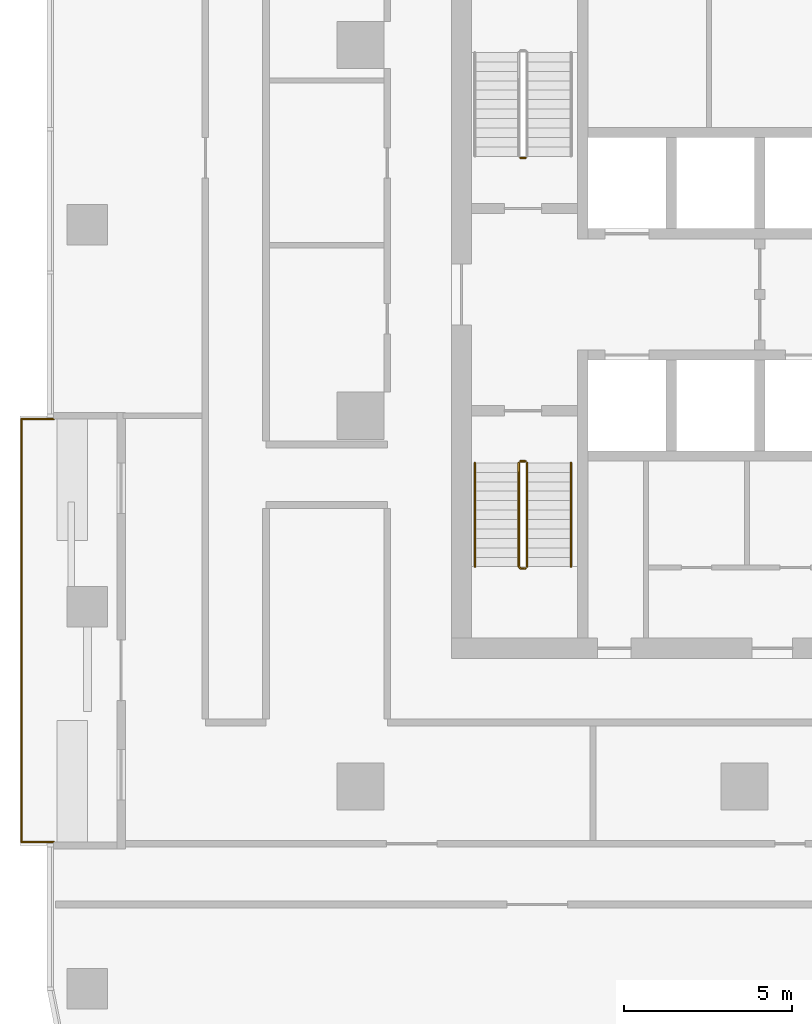
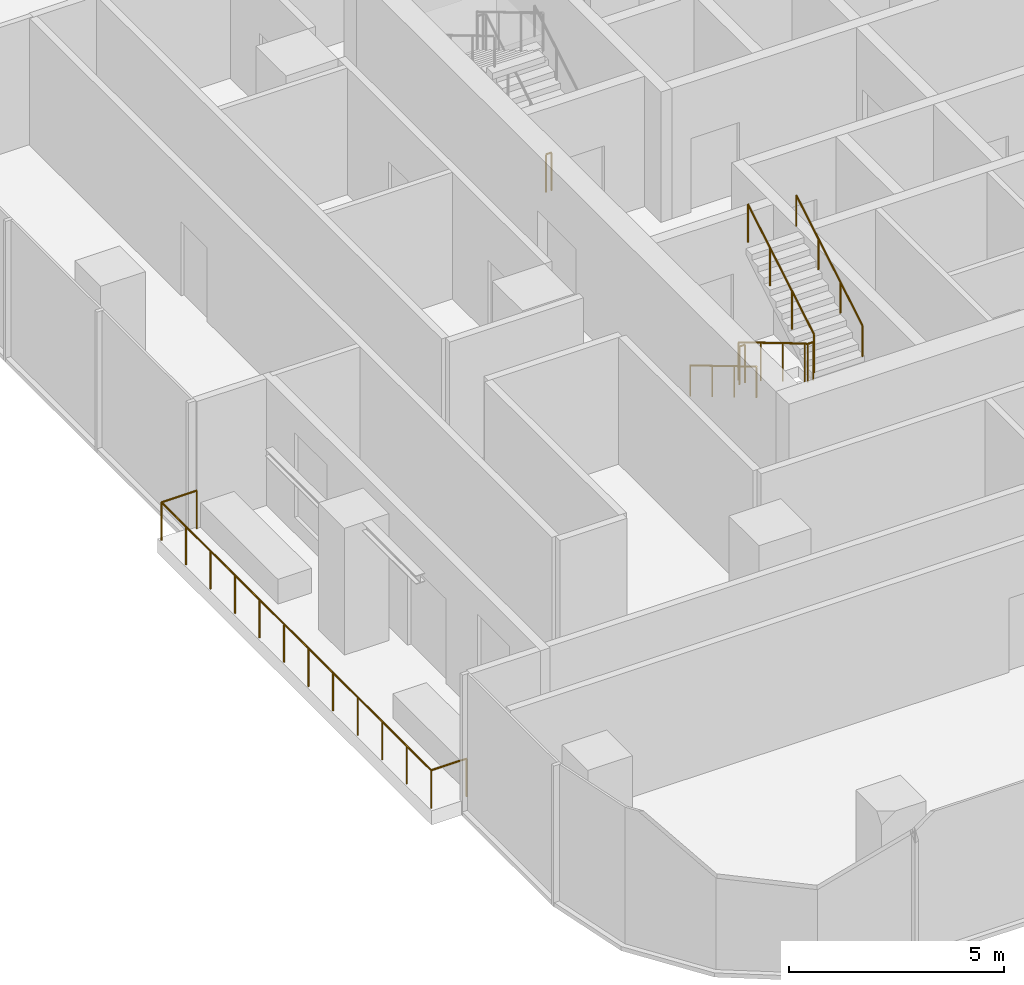
# One storey, part 12 of 14: 7 railings.
"""IFC4 building model written with IfcOpenShell, lengths in metres."""

from ifc_helpers import new_model, si_unit, direction, frame, origin, origin_2d, place, context, subcontext, project, spatial, circle, extrude, material, type_object, element, save


model = new_model("IFC4")

# Units and contexts
model_context = context("Model", 3, precision=1e-05, world=origin(), true_north=direction((0.0, 1.0)))
body_context = subcontext(model_context, "Body", "Model", "MODEL_VIEW")
ifc_project = project(units=[si_unit("LENGTHUNIT", "METRE"), si_unit("AREAUNIT", "SQUARE_METRE"), si_unit("VOLUMEUNIT", "CUBIC_METRE"), si_unit("PLANEANGLEUNIT", "RADIAN"), si_unit("MASSUNIT", "GRAM", prefix="KILO")], contexts=[model_context])

# Site, building, storey
site_placement = place(None, origin())
site = spatial("IfcSite", under=ifc_project, at=site_placement, CompositionType="ELEMENT")
building_placement = place(site_placement, origin())
building = spatial("IfcBuilding", under=site, at=building_placement, Name="Mopane Tessera Tower", CompositionType="ELEMENT")
storey_placement = place(building_placement, frame((0.0, 0.0, 185.0)))
storey = spatial("IfcBuildingStorey", under=building, at=storey_placement, Name="L38", CompositionType="ELEMENT", Elevation=185.0)

# Railings
ifc_material_1 = material(Name="Powder-coated steel balustrade", Category="steel")
railing_type_1 = type_object("IfcRailingType", Name="Escape stair guard 1100 mm", PredefinedType="GUARDRAIL", material=ifc_material_1)
railing_1_placement = place(storey_placement, frame((-12.39990234375, -1.39990234375, 0.166748046875)))
element("IfcRailing", 1, at=railing_1_placement, inside=storey, type_object=railing_type_1, Name="L38 ST1 stair guard 1", PredefinedType="GUARDRAIL", context=body_context, shape_type="SweptSolid", body=[
    extrude(circle(Radius=0.02392578125, at=origin_2d()), frame((0.0, 0.0, 1.076171875), z_axis=(0.0, -0.859308565015, 0.511457515432), x_axis=(1.0, 0.0, 0.0)), (0.0, 0.0, 1.0), 3.58447265625),
    extrude(circle(Radius=0.02392578125, at=origin_2d()), frame((0.0, -3.080078125, 2.9091796875), z_axis=(0.705375805398, -0.708833529934, 0.0), x_axis=(0.708833529934, 0.705375805398, 0.0)), (0.0, 0.0, 1.0), 0.070556640625),
    extrude(circle(Radius=0.02392578125, at=origin_2d()), frame((0.0498046875, -3.130126953125, 2.9091796875), z_axis=(1.0, 0.0, 0.0), x_axis=(0.0, 1.0, 0.0)), (0.0, 0.0, 1.0), 0.150146484375),
    extrude(circle(Radius=0.02099609375, at=origin_2d()), origin(), (0.0, 0.0, 1.0), 1.052001953125),
    extrude(circle(Radius=0.02099609375, at=origin_2d()), frame((0.0, -1.026611328125, 0.611083984375)), (0.0, 0.0, 1.0), 1.052001953125),
    extrude(circle(Radius=0.02099609375, at=origin_2d()), frame((0.0, -2.053466796875, 1.22216796875)), (0.0, 0.0, 1.0), 1.052001953125),
    extrude(circle(Radius=0.02099609375, at=origin_2d()), frame((0.0, -3.080078125, 1.833251953125)), (0.0, 0.0, 1.0), 1.052001953125),
    extrude(circle(Radius=0.02099609375, at=origin_2d()), frame((0.0498046875, -3.130126953125, 1.833251953125)), (0.0, 0.0, 1.0), 1.052001953125),
    extrude(circle(Radius=0.02099609375, at=origin_2d()), frame((0.199951171875, -3.130126953125, 1.833251953125)), (0.0, 0.0, 1.0), 1.052001953125),
])
railing_2_placement = place(storey_placement, frame((-12.14990234375, -4.47998046875, 2.166748046875)))
element("IfcRailing", 2, at=railing_2_placement, inside=storey, type_object=railing_type_1, Name="L38 ST1 stair guard 2", PredefinedType="GUARDRAIL", context=body_context, shape_type="SweptSolid", body=[
    extrude(circle(Radius=0.02392578125, at=origin_2d()), frame((0.0, 0.0, 1.076171875), z_axis=(0.0, 0.859308565015, 0.511457515432), x_axis=(-1.0, 0.0, 0.0)), (0.0, 0.0, 1.0), 3.58447265625),
    extrude(circle(Radius=0.02099609375, at=origin_2d()), origin(), (0.0, 0.0, 1.0), 1.052001953125),
    extrude(circle(Radius=0.02099609375, at=origin_2d()), frame((0.0, 1.026611328125, 0.611083984375)), (0.0, 0.0, 1.0), 1.052001953125),
    extrude(circle(Radius=0.02099609375, at=origin_2d()), frame((0.0, 2.053466796875, 1.22216796875)), (0.0, 0.0, 1.0), 1.052001953125),
    extrude(circle(Radius=0.02099609375, at=origin_2d()), frame((0.0, 3.080078125, 1.833251953125)), (0.0, 0.0, 1.0), 1.052001953125),
])
railing_3_placement = place(storey_placement, frame((-12.35009765625, -1.35009765625, 0.0)))
element("IfcRailing", 3, at=railing_3_placement, inside=storey, type_object=railing_type_1, Name="L38 ST1 stair guard 3", PredefinedType="GUARDRAIL", context=body_context, shape_type="SweptSolid", body=[
    extrude(circle(Radius=0.02392578125, at=origin_2d()), frame((0.0, 0.0, 1.076171875), z_axis=(1.0, 0.0, 0.0), x_axis=(0.0, 1.0, 0.0)), (0.0, 0.0, 1.0), 0.150146484375),
    extrude(circle(Radius=0.02099609375, at=origin_2d()), origin(), (0.0, 0.0, 1.0), 1.052001953125),
    extrude(circle(Radius=0.02099609375, at=origin_2d()), frame((0.150146484375, 0.0, 0.0)), (0.0, 0.0, 1.0), 1.052001953125),
])
railing_4_placement = place(storey_placement, frame((-12.199951171875, 7.64990234375, 0.0)))
element("IfcRailing", 4, at=railing_4_placement, inside=storey, type_object=railing_type_1, Name="L38 ST2 stair guard 3", PredefinedType="GUARDRAIL", context=body_context, shape_type="SweptSolid", body=[
    extrude(circle(Radius=0.02392578125, at=origin_2d()), frame((0.0, 0.0, 1.076171875), z_axis=(-1.0, 0.0, 0.0), x_axis=(0.0, -1.0, 0.0)), (0.0, 0.0, 1.0), 0.150146484375),
    extrude(circle(Radius=0.02099609375, at=origin_2d()), origin(), (0.0, 0.0, 1.0), 1.052001953125),
    extrude(circle(Radius=0.02099609375, at=origin_2d()), frame((-0.150146484375, 0.0, 0.0)), (0.0, 0.0, 1.0), 1.052001953125),
])
ifc_material_2 = material(Name="Powder-coated steel balustrade", Category="steel")
railing_type_2 = type_object("IfcRailingType", Name="Escape stair handrail 900 mm", PredefinedType="HANDRAIL", material=ifc_material_2)
railing_5_placement = place(storey_placement, frame((-13.699951171875, -1.39990234375, 0.166748046875)))
element("IfcRailing", 5, at=railing_5_placement, inside=storey, type_object=railing_type_2, Name="L38 ST1 stair handrail 1", PredefinedType="HANDRAIL", context=body_context, shape_type="SweptSolid", body=[
    extrude(circle(Radius=0.02392578125, at=origin_2d()), frame((0.0, 0.0, 0.8759765625), z_axis=(0.0, -0.859308565015, 0.511457515432), x_axis=(1.0, 0.0, 0.0)), (0.0, 0.0, 1.0), 3.58447265625),
    extrude(circle(Radius=0.02099609375, at=origin_2d()), origin(), (0.0, 0.0, 1.0), 0.851806640625),
    extrude(circle(Radius=0.02099609375, at=origin_2d()), frame((0.0, -1.026611328125, 0.611083984375)), (0.0, 0.0, 1.0), 0.851806640625),
    extrude(circle(Radius=0.02099609375, at=origin_2d()), frame((0.0, -2.053466796875, 1.22216796875)), (0.0, 0.0, 1.0), 0.851806640625),
    extrude(circle(Radius=0.02099609375, at=origin_2d()), frame((0.0, -3.080078125, 1.833251953125)), (0.0, 0.0, 1.0), 0.851806640625),
])
railing_6_placement = place(storey_placement, frame((-10.85009765625, -4.47998046875, 2.166748046875)))
element("IfcRailing", 6, at=railing_6_placement, inside=storey, type_object=railing_type_2, Name="L38 ST1 stair handrail 2", PredefinedType="HANDRAIL", context=body_context, shape_type="SweptSolid", body=[
    extrude(circle(Radius=0.02392578125, at=origin_2d()), frame((0.0, 0.0, 0.8759765625), z_axis=(0.0, 0.859308565015, 0.511457515432), x_axis=(-1.0, 0.0, 0.0)), (0.0, 0.0, 1.0), 3.58447265625),
    extrude(circle(Radius=0.02099609375, at=origin_2d()), origin(), (0.0, 0.0, 1.0), 0.851806640625),
    extrude(circle(Radius=0.02099609375, at=origin_2d()), frame((0.0, 1.026611328125, 0.611083984375)), (0.0, 0.0, 1.0), 0.851806640625),
    extrude(circle(Radius=0.02099609375, at=origin_2d()), frame((0.0, 2.053466796875, 1.22216796875)), (0.0, 0.0, 1.0), 0.851806640625),
    extrude(circle(Radius=0.02099609375, at=origin_2d()), frame((0.0, 3.080078125, 1.833251953125)), (0.0, 0.0, 1.0), 0.851806640625),
])
ifc_material_3 = material(Name="Stainless steel S316", Category="steel")
railing_type_3 = type_object("IfcRailingType", Name="Terrace guard 1100", PredefinedType="GUARDRAIL", material=ifc_material_3)
railing_7_placement = place(storey_placement, frame((-26.199951171875, -0.10009765625, 0.0)))
element("IfcRailing", 7, at=railing_7_placement, inside=storey, type_object=railing_type_3, Name="e:nw:L38:N1:guard", PredefinedType="GUARDRAIL", context=body_context, shape_type="SweptSolid", body=[
    extrude(circle(Radius=0.02392578125, at=origin_2d()), frame((0.0, 0.0, 1.076171875), z_axis=(-1.0, 0.0, 0.0), x_axis=(0.0, -1.0, 0.0)), (0.0, 0.0, 1.0), 0.949951171875),
    extrude(circle(Radius=0.02392578125, at=origin_2d()), frame((-0.949951171875, 0.0, 1.076171875), z_axis=(0.0, -1.0, 0.0), x_axis=(1.0, 0.0, 0.0)), (0.0, 0.0, 1.0), 12.5498046875),
    extrude(circle(Radius=0.02392578125, at=origin_2d()), frame((-0.949951171875, -12.5498046875, 1.076171875), z_axis=(1.0, 0.0, 0.0), x_axis=(0.0, 1.0, 0.0)), (0.0, 0.0, 1.0), 0.949951171875),
    extrude(circle(Radius=0.02099609375, at=origin_2d()), origin(), (0.0, 0.0, 1.0), 1.052001953125),
    extrude(circle(Radius=0.02099609375, at=origin_2d()), frame((-0.949951171875, 0.0, 0.0)), (0.0, 0.0, 1.0), 1.052001953125),
    extrude(circle(Radius=0.02099609375, at=origin_2d()), frame((-0.949951171875, -1.140869140625, 0.0)), (0.0, 0.0, 1.0), 1.052001953125),
    extrude(circle(Radius=0.02099609375, at=origin_2d()), frame((-0.949951171875, -2.28173828125, 0.0)), (0.0, 0.0, 1.0), 1.052001953125),
    extrude(circle(Radius=0.02099609375, at=origin_2d()), frame((-0.949951171875, -3.422607421875, 0.0)), (0.0, 0.0, 1.0), 1.052001953125),
    extrude(circle(Radius=0.02099609375, at=origin_2d()), frame((-0.949951171875, -4.5634765625, 0.0)), (0.0, 0.0, 1.0), 1.052001953125),
    extrude(circle(Radius=0.02099609375, at=origin_2d()), frame((-0.949951171875, -5.704345703125, 0.0)), (0.0, 0.0, 1.0), 1.052001953125),
    extrude(circle(Radius=0.02099609375, at=origin_2d()), frame((-0.949951171875, -6.845458984375, 0.0)), (0.0, 0.0, 1.0), 1.052001953125),
    extrude(circle(Radius=0.02099609375, at=origin_2d()), frame((-0.949951171875, -7.986328125, 0.0)), (0.0, 0.0, 1.0), 1.052001953125),
    extrude(circle(Radius=0.02099609375, at=origin_2d()), frame((-0.949951171875, -9.127197265625, 0.0)), (0.0, 0.0, 1.0), 1.052001953125),
    extrude(circle(Radius=0.02099609375, at=origin_2d()), frame((-0.949951171875, -10.26806640625, 0.0)), (0.0, 0.0, 1.0), 1.052001953125),
    extrude(circle(Radius=0.02099609375, at=origin_2d()), frame((-0.949951171875, -11.408935546875, 0.0)), (0.0, 0.0, 1.0), 1.052001953125),
    extrude(circle(Radius=0.02099609375, at=origin_2d()), frame((-0.949951171875, -12.5498046875, 0.0)), (0.0, 0.0, 1.0), 1.052001953125),
    extrude(circle(Radius=0.02099609375, at=origin_2d()), frame((0.0, -12.5498046875, 0.0)), (0.0, 0.0, 1.0), 1.052001953125),
])

save(model, "model.ifc")
